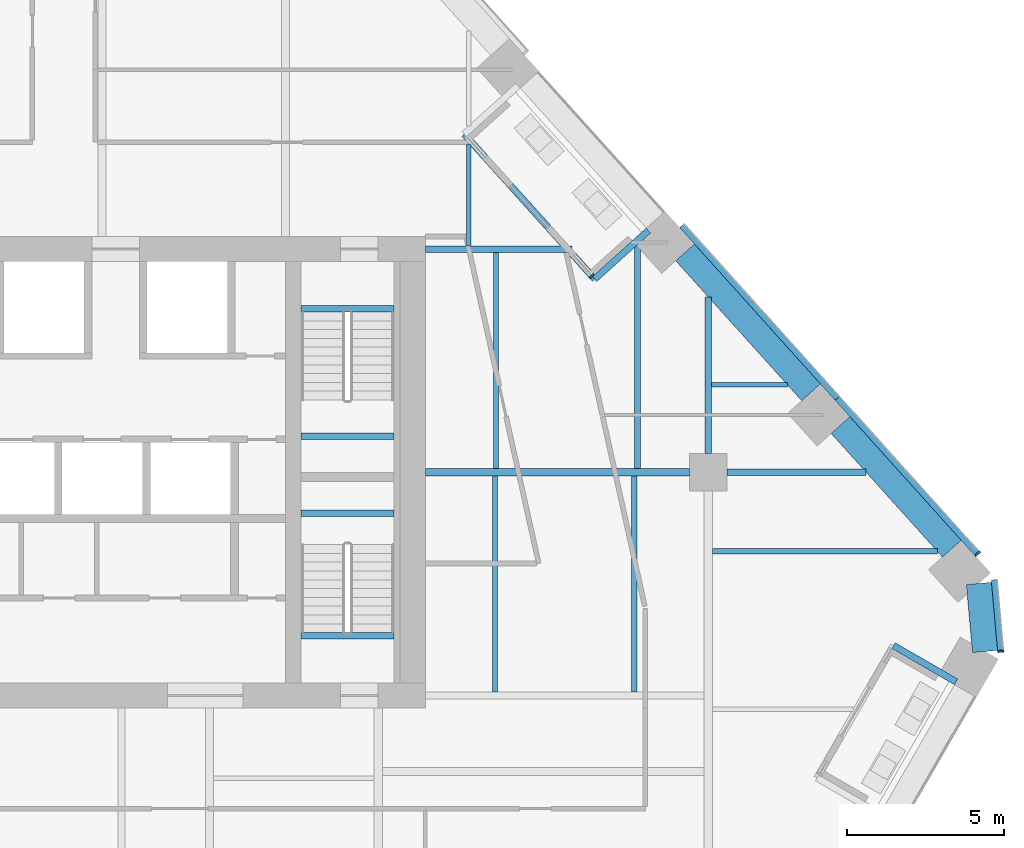
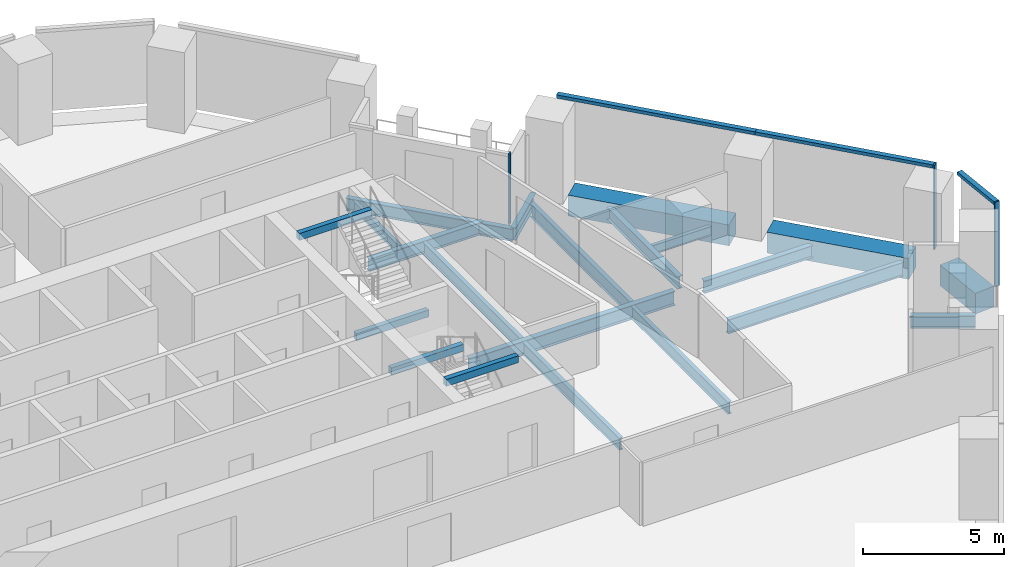
# One storey, part 10 of 26: 21 beams, 6 members, 3 elements without a shape of their own.
"""IFC4 building model written with IfcOpenShell, lengths in metres."""

from ifc_helpers import new_model, si_unit, direction, frame, origin, origin_2d, place, context, subcontext, project, spatial, rectangle, i_section, extrude, material, layer, layer_set, material_profile, profile_set, type_object, element, aggregate, save


model = new_model("IFC4")

# Units and contexts
model_context = context("Model", 3, precision=1e-05, world=origin(), true_north=direction((0.0, 1.0)))
body_context = subcontext(model_context, "Body", "Model", "MODEL_VIEW")
ifc_project = project(units=[si_unit("LENGTHUNIT", "METRE"), si_unit("AREAUNIT", "SQUARE_METRE"), si_unit("VOLUMEUNIT", "CUBIC_METRE"), si_unit("PLANEANGLEUNIT", "RADIAN"), si_unit("MASSUNIT", "GRAM", prefix="KILO")], contexts=[model_context])

# Site, building, storey
site_placement = place(None, origin())
site = spatial("IfcSite", under=ifc_project, at=site_placement, CompositionType="ELEMENT")
building_placement = place(site_placement, origin())
building = spatial("IfcBuilding", under=site, at=building_placement, Name="Isthmus Gate Tower", CompositionType="ELEMENT")
storey_placement = place(building_placement, frame((0.0, 0.0, 144.39990234375)))
storey = spatial("IfcBuildingStorey", under=building, at=storey_placement, Name="L35", CompositionType="ELEMENT", Elevation=144.39990234375)

# Curtain wall, member
ifc_material_1 = material(Name="Aluminium, pale champagne anodised", Category="aluminium")
ifc_layer_1 = layer(ifc_material_1, 0.199951171875)
ifc_layer_set_1 = layer_set([ifc_layer_1], Name="CW-1 UNITISED CURTAIN WALL 200 DEEP")
curtain_wall_type_1 = type_object("IfcCurtainWallType", Name="CW-1 UNITISED CURTAIN WALL 200 DEEP", PredefinedType="NOTDEFINED", material=ifc_layer_set_1)
curtain_wall_1_placement = place(storey_placement, origin())
curtain_wall_1 = element("IfcCurtainWall", 1, at=curtain_wall_1_placement, inside=storey, type_object=curtain_wall_type_1, Name="CW-1 SE-NE L35", PredefinedType="NOTDEFINED")
ifc_material_2 = material(Name="Aluminium, pale champagne anodised", Category="aluminium")
ifc_material_profile_1 = material_profile(ifc_material_2, rectangle(XDim=0.06005859375, YDim=0.199951171875, at=origin_2d()), Name="60x200")
ifc_profile_set_1 = profile_set([ifc_material_profile_1], Name="Aluminium, pale champagne anodised")
member_type_1 = type_object("IfcMemberType", Name="CW-1 MULLION 60 X 200", PredefinedType="MULLION", material=ifc_profile_set_1)
member_1_placement = place(storey_placement, frame((33.307861328125, 1.804443359375, 0.0), z_axis=(0.0, 0.0, 1.0), x_axis=(-0.089396669717, 0.995996102123, 0.0)))
member_1 = element("IfcMember", 2, at=member_1_placement, type_object=member_type_1, Name="CW-1 mullion", PredefinedType="MULLION", context=body_context, shape_type="SweptSolid", body=[
    extrude(rectangle(XDim=0.06005859375, YDim=0.199951171875, at=origin_2d()), origin(), (0.0, 0.0, 1.0), 3.650146484375),
])

curtain_wall_2_placement = place(storey_placement, origin())
curtain_wall_2 = element("IfcCurtainWall", 3, at=curtain_wall_2_placement, inside=storey, type_object=curtain_wall_type_1, Name="CW-1 NE L35", PredefinedType="NOTDEFINED")
member_2_placement = place(storey_placement, frame((32.5693359375, 4.908447265625, 0.0), z_axis=(0.0, 0.0, 1.0), x_axis=(-0.669130606359, 0.743144825477, 0.0)))
member_2 = element("IfcMember", 4, at=member_2_placement, type_object=member_type_1, Name="CW-1 mullion", PredefinedType="MULLION", context=body_context, shape_type="SweptSolid", body=[
    extrude(rectangle(XDim=0.06005859375, YDim=0.199951171875, at=origin_2d()), origin(), (0.0, 0.0, 1.0), 3.650146484375),
])

# Member
ifc_material_3 = material(Name="Aluminium, pale champagne anodised", Category="aluminium")
ifc_material_profile_2 = material_profile(ifc_material_3, rectangle(XDim=0.199951171875, YDim=0.139892578125, at=origin_2d()), Name="200x140")
ifc_profile_set_2 = profile_set([ifc_material_profile_2], Name="Aluminium, pale champagne anodised")
member_type_2 = type_object("IfcMemberType", Name="CW-1 TRANSOM 200 X 140", PredefinedType="USERDEFINED", material=ifc_profile_set_2)
member_3_placement = place(storey_placement, frame((33.30517578125, 1.83447265625, 3.580078125), z_axis=(-0.089395362867, 0.995996219419, 0.0), x_axis=(-0.995996219419, -0.089395362867, 0.0)))
member_3 = element("IfcMember", 5, at=member_3_placement, type_object=member_type_2, Name="CW-1 transom", ObjectType="TRANSOM", PredefinedType="USERDEFINED", context=body_context, shape_type="SweptSolid", body=[
    extrude(rectangle(XDim=0.199951171875, YDim=0.139892578125, at=origin_2d()), origin(), (0.0, 0.0, 1.0), 2.258544921875),
])

aggregate(curtain_wall_1, [member_1, member_3])

member_4_placement = place(storey_placement, frame((32.54931640625, 4.930908203125, 3.580078125), z_axis=(-0.669153891975, 0.743123858354, 0.0), x_axis=(-0.743123858354, -0.669153891975, 0.0)))
member_4 = element("IfcMember", 6, at=member_4_placement, type_object=member_type_2, Name="CW-1 transom", ObjectType="TRANSOM", PredefinedType="USERDEFINED", context=body_context, shape_type="SweptSolid", body=[
    extrude(rectangle(XDim=0.199951171875, YDim=0.139892578125, at=origin_2d()), origin(), (0.0, 0.0, 1.0), 6.630859375),
])

member_5_placement = place(storey_placement, frame((28.1123046875, 9.8583984375, 3.580078125), z_axis=(-0.669123495435, 0.74315122812, 0.0), x_axis=(-0.74315122812, -0.669123495435, 0.0)))
member_5 = element("IfcMember", 7, at=member_5_placement, type_object=member_type_2, Name="CW-1 transom", ObjectType="TRANSOM", PredefinedType="USERDEFINED", context=body_context, shape_type="SweptSolid", body=[
    extrude(rectangle(XDim=0.199951171875, YDim=0.139892578125, at=origin_2d()), origin(), (0.0, 0.0, 1.0), 7.390625),
])

aggregate(curtain_wall_2, [member_2, member_4, member_5])

# Curtain wall, member
ifc_material_4 = material(Name="Aluminium, pale champagne anodised", Category="aluminium")
ifc_layer_2 = layer(ifc_material_4, 0.14990234375)
ifc_layer_set_2 = layer_set([ifc_layer_2], Name="CW-6 LOGGIA BACK WALL GLAZING 150 DEEP")
curtain_wall_type_2 = type_object("IfcCurtainWallType", Name="CW-6 LOGGIA BACK WALL GLAZING 150 DEEP", PredefinedType="NOTDEFINED", material=ifc_layer_set_2)
curtain_wall_3_placement = place(storey_placement, origin())
curtain_wall_3 = element("IfcCurtainWall", 8, at=curtain_wall_3_placement, inside=storey, type_object=curtain_wall_type_2, Name="CW-6 NE L35", PredefinedType="NOTDEFINED")
ifc_material_5 = material(Name="Aluminium, pale champagne anodised", Category="aluminium")
ifc_material_profile_3 = material_profile(ifc_material_5, rectangle(XDim=0.06005859375, YDim=0.14990234375, at=origin_2d()), Name="60x150")
ifc_profile_set_3 = profile_set([ifc_material_profile_3], Name="Aluminium, pale champagne anodised")
member_type_3 = type_object("IfcMemberType", Name="CW-6 MULLION 60 X 150", PredefinedType="MULLION", material=ifc_profile_set_3)
member_6_placement = place(storey_placement, frame((20.30029296875, 13.752197265625, 0.0), z_axis=(0.0, 0.0, 1.0), x_axis=(-0.669130606359, 0.743144825477, 0.0)))
member_6 = element("IfcMember", 9, at=member_6_placement, type_object=member_type_3, Name="CW-6 mullion", PredefinedType="MULLION", context=body_context, shape_type="SweptSolid", body=[
    extrude(rectangle(XDim=0.06005859375, YDim=0.14990234375, at=origin_2d()), origin(), (0.0, 0.0, 1.0), 3.050048828125),
])
aggregate(curtain_wall_3, [member_6])

# Beams
ifc_material_6 = material(Name="Concrete f'c 60 MPa", Category="concrete")
ifc_material_profile_4 = material_profile(ifc_material_6, rectangle(XDim=0.800048828125, YDim=0.89990234375, at=origin_2d()), Name="RC 800X900")
ifc_profile_set_4 = profile_set([ifc_material_profile_4], Name="Concrete f'c 60 MPa")
beam_type_1 = type_object("IfcBeamType", Name="RC SPANDREL 800 X 900", PredefinedType="SPANDREL", material=ifc_profile_set_4)
beam_1_placement = place(storey_placement, frame((23.263671875, 14.49609375, -0.449951171875), z_axis=(0.669156088603, -0.74312188037, 0.0), x_axis=(0.74312188037, 0.669156088603, 0.0)))
element("IfcBeam", 10, at=beam_1_placement, inside=storey, type_object=beam_type_1, Name="str-spandrel-L35-03", PredefinedType="SPANDREL", context=body_context, shape_type="SweptSolid", body=[
    extrude(rectangle(XDim=0.800048828125, YDim=0.89990234375, at=origin_2d()), origin(), (0.0, 0.0, 1.0), 5.99072265625),
])
beam_2_placement = place(storey_placement, frame((28.209228515625, 9.003662109375, -0.449951171875), z_axis=(0.669130424574, -0.743144989157, 0.0), x_axis=(0.743144989157, 0.669130424574, 0.0)))
element("IfcBeam", 11, at=beam_2_placement, inside=storey, type_object=beam_type_1, Name="str-spandrel-L35-04", PredefinedType="SPANDREL", context=body_context, shape_type="SweptSolid", body=[
    extrude(rectangle(XDim=0.800048828125, YDim=0.89990234375, at=origin_2d()), origin(), (0.0, 0.0, 1.0), 5.290771484375),
])
beam_3_placement = place(storey_placement, frame((32.61181640625, 3.964599609375, -0.449951171875), z_axis=(0.089421511639, -0.995993872098, 0.0), x_axis=(0.995993872098, 0.089421511639, 0.0)))
element("IfcBeam", 12, at=beam_3_placement, inside=storey, type_object=beam_type_1, Name="str-spandrel-L35-05", PredefinedType="SPANDREL", context=body_context, shape_type="SweptSolid", body=[
    extrude(rectangle(XDim=0.800048828125, YDim=0.89990234375, at=origin_2d()), origin(), (0.0, 0.0, 1.0), 2.17333984375),
])
ifc_material_7 = material(Name="Concrete f'c 40 MPa", Category="concrete")
ifc_material_profile_5 = material_profile(ifc_material_7, rectangle(XDim=0.199951171875, YDim=0.300048828125, at=origin_2d()), Name="STAIR LANDING BEAM RC 200 X 300")
ifc_profile_set_5 = profile_set([ifc_material_profile_5], Name="Concrete f'c 40 MPa")
beam_type_2 = type_object("IfcBeamType", Name="STAIR LANDING BEAM RC 200 X 300", PredefinedType="BEAM", material=ifc_profile_set_5)
for number, where, z_axis, x_axis, name in (
    (13, (11.050048828125, 8.64990234375, 1.47509765625), (1.0, 0.0, 0.0), (0.0, 1.0, 0.0), "L35 ST2 landing beam 1"),
    (14, (11.050048828125, 12.7001953125, 3.35009765625), (1.0, 0.0, 0.0), (0.0, 1.0, 0.0), "L35 ST2 floor-edge seat beam"),
    (15, (11.050048828125, 6.199951171875, 1.47509765625), (1.0, 0.0, 0.0), (0.0, 1.0, 0.0), "L35 ST8 landing beam 1"),
    (16, (11.050048828125, 2.2998046875, 3.35009765625), (1.0, 0.0, 0.0), (0.0, 1.0, 0.0), "L35 ST8 floor-edge seat beam"),
):
    element("IfcBeam", number, at=place(storey_placement, frame(where, z_axis=z_axis, x_axis=x_axis)), inside=storey, type_object=beam_type_2, Name=name, PredefinedType="BEAM", context=body_context, shape_type="SweptSolid", body=[
        extrude(rectangle(XDim=0.199951171875, YDim=0.300048828125, at=origin_2d()), origin(), (0.0, 0.0, 1.0), 2.949951171875),
    ])
ifc_material_8 = material(Name="Structural steel ASTM A992 Gr 50", Category="steel")
ifc_material_profile_6 = material_profile(ifc_material_8, i_section(OverallWidth=0.1396484375, OverallDepth=0.4033203125, WebThickness=0.00634765625, FlangeThickness=0.010986328125, at=origin_2d()), Name="W16X31")
ifc_profile_set_6 = profile_set([ifc_material_profile_6], Name="Structural steel ASTM A992 Gr 50")
beam_type_3 = type_object("IfcBeamType", Name="STEEL FLOOR BEAM W16X31", PredefinedType="JOIST", material=ifc_profile_set_6)
beam_4_placement = place(storey_placement, frame((16.3798828125, 14.704833984375, -0.3515625), z_axis=(0.0, 1.0, 0.0), x_axis=(-1.0, 0.0, 0.0)))
element("IfcBeam", 17, at=beam_4_placement, inside=storey, type_object=beam_type_3, Name="str-beam-L35-08-06", PredefinedType="JOIST", context=body_context, shape_type="SweptSolid", body=[
    extrude(i_section(OverallWidth=0.1396484375, OverallDepth=0.4033203125, WebThickness=0.00634765625, FlangeThickness=0.010986328125, at=origin_2d()), origin(), (0.0, 0.0, 1.0), 3.23779296875),
])
beam_5_placement = place(storey_placement, frame((24.104736328125, 10.284423828125, -0.3515625), z_axis=(1.0, 0.0, 0.0), x_axis=(0.0, 1.0, 0.0)))
element("IfcBeam", 18, at=beam_5_placement, inside=storey, type_object=beam_type_3, Name="str-beam-L35-19-00", PredefinedType="JOIST", context=body_context, shape_type="SweptSolid", body=[
    extrude(i_section(OverallWidth=0.1396484375, OverallDepth=0.4033203125, WebThickness=0.00634765625, FlangeThickness=0.010986328125, at=origin_2d()), origin(), (0.0, 0.0, 1.0), 2.412841796875),
])
ifc_material_9 = material(Name="Structural steel ASTM A992 Gr 50", Category="steel")
ifc_material_profile_7 = material_profile(ifc_material_9, i_section(OverallWidth=0.1650390625, OverallDepth=0.52392578125, WebThickness=0.009521484375, FlangeThickness=0.010986328125, at=origin_2d()), Name="W21X44")
ifc_profile_set_7 = profile_set([ifc_material_profile_7], Name="Structural steel ASTM A992 Gr 50")
beam_type_4 = type_object("IfcBeamType", Name="STEEL FLOOR BEAM W21X44", PredefinedType="JOIST", material=ifc_profile_set_7)
beam_6_placement = place(storey_placement, frame((17.25, 7.6142578125, -0.411865234375), z_axis=(0.0, 1.0, 0.0), x_axis=(-1.0, 0.0, 0.0)))
element("IfcBeam", 19, at=beam_6_placement, inside=storey, type_object=beam_type_4, Name="str-beam-L35-16-00", PredefinedType="JOIST", context=body_context, shape_type="SweptSolid", body=[
    extrude(i_section(OverallWidth=0.1650390625, OverallDepth=0.52392578125, WebThickness=0.009521484375, FlangeThickness=0.010986328125, at=origin_2d()), origin(), (0.0, 0.0, 1.0), 6.881103515625),
])
for number, where, z_axis, x_axis, name in (
    (20, (17.216552734375, 0.514404296875, -0.411865234375), (0.0, 1.0, 0.0), (-1.0, 0.0, 0.0), "str-beam-L35-17-00"),
    (21, (21.64990234375, 0.514404296875, -0.411865234375), (0.0, 1.0, 0.0), (-1.0, 0.0, 0.0), "str-beam-L35-17-01"),
):
    element("IfcBeam", number, at=place(storey_placement, frame(where, z_axis=z_axis, x_axis=x_axis)), inside=storey, type_object=beam_type_4, Name=name, PredefinedType="JOIST", context=body_context, shape_type="SweptSolid", body=[
        extrude(i_section(OverallWidth=0.1650390625, OverallDepth=0.52392578125, WebThickness=0.009521484375, FlangeThickness=0.010986328125, at=origin_2d()), origin(), (0.0, 0.0, 1.0), 6.871337890625),
    ])
ifc_material_10 = material(Name="Structural steel ASTM A992 Gr 50", Category="steel")
ifc_material_profile_8 = material_profile(ifc_material_10, i_section(OverallWidth=0.177734375, OverallDepth=0.60009765625, WebThickness=0.009521484375, FlangeThickness=0.0126953125, at=origin_2d()), Name="W24X55")
ifc_profile_set_8 = profile_set([ifc_material_profile_8], Name="Structural steel ASTM A992 Gr 50")
beam_type_5 = type_object("IfcBeamType", Name="STEEL FLOOR BEAM W24X55", PredefinedType="JOIST", material=ifc_profile_set_8)
beam_7_placement = place(storey_placement, frame((21.75, 7.6142578125, -0.449951171875), z_axis=(0.0, 1.0, 0.0), x_axis=(-1.0, 0.0, 0.0)))
element("IfcBeam", 22, at=beam_7_placement, inside=storey, type_object=beam_type_5, Name="str-beam-L35-16-01", PredefinedType="JOIST", context=body_context, shape_type="SweptSolid", body=[
    extrude(i_section(OverallWidth=0.177734375, OverallDepth=0.60009765625, WebThickness=0.009521484375, FlangeThickness=0.0126953125, at=origin_2d()), origin(), (0.0, 0.0, 1.0), 7.068603515625),
])
beam_8_placement = place(storey_placement, frame((24.13330078125, 4.987548828125, -0.449951171875), z_axis=(1.0, 0.0, 0.0), x_axis=(0.0, 1.0, 0.0)))
element("IfcBeam", 23, at=beam_8_placement, inside=storey, type_object=beam_type_5, Name="str-beam-L35-20-02", PredefinedType="JOIST", context=body_context, shape_type="SweptSolid", body=[
    extrude(i_section(OverallWidth=0.177734375, OverallDepth=0.60009765625, WebThickness=0.009521484375, FlangeThickness=0.0126953125, at=origin_2d()), origin(), (0.0, 0.0, 1.0), 7.15380859375),
])
ifc_material_11 = material(Name="Structural steel ASTM A992 Gr 50", Category="steel")
ifc_material_profile_9 = material_profile(ifc_material_11, i_section(OverallWidth=0.20947265625, OverallDepth=0.533447265625, WebThickness=0.009521484375, FlangeThickness=0.015869140625, at=origin_2d()), Name="W21X62")
ifc_profile_set_9 = profile_set([ifc_material_profile_9], Name="Structural steel ASTM A992 Gr 50")
beam_type_6 = type_object("IfcBeamType", Name="STEEL GIRDER W21X62", PredefinedType="BEAM", material=ifc_profile_set_9)
beam_9_placement = place(storey_placement, frame((24.60009765625, 7.5, -0.41650390625), z_axis=(1.0, 0.0, 0.0), x_axis=(0.0, 1.0, 0.0)))
element("IfcBeam", 24, at=beam_9_placement, inside=storey, type_object=beam_type_6, Name="str-girder-L35-06", PredefinedType="BEAM", context=body_context, shape_type="SweptSolid", body=[
    extrude(i_section(OverallWidth=0.20947265625, OverallDepth=0.533447265625, WebThickness=0.009521484375, FlangeThickness=0.015869140625, at=origin_2d()), origin(), (0.0, 0.0, 1.0), 4.4248046875),
])
beam_10_placement = place(storey_placement, frame((24.0, 8.10009765625, -0.41650390625), z_axis=(0.0, 1.0, 0.0), x_axis=(-1.0, 0.0, 0.0)))
element("IfcBeam", 25, at=beam_10_placement, inside=storey, type_object=beam_type_6, Name="str-girder-L35-12", PredefinedType="BEAM", context=body_context, shape_type="SweptSolid", body=[
    extrude(i_section(OverallWidth=0.20947265625, OverallDepth=0.533447265625, WebThickness=0.009521484375, FlangeThickness=0.015869140625, at=origin_2d()), origin(), (0.0, 0.0, 1.0), 4.98046875),
])
beam_11_placement = place(storey_placement, frame((15.0, 14.60009765625, -0.41650390625), z_axis=(1.0, 0.0, 0.0), x_axis=(0.0, 1.0, 0.0)))
element("IfcBeam", 26, at=beam_11_placement, inside=storey, type_object=beam_type_6, Name="str-girder-L35-16", PredefinedType="BEAM", context=body_context, shape_type="SweptSolid", body=[
    extrude(i_section(OverallWidth=0.20947265625, OverallDepth=0.533447265625, WebThickness=0.009521484375, FlangeThickness=0.015869140625, at=origin_2d()), origin(), (0.0, 0.0, 1.0), 4.671630859375),
])
ifc_material_12 = material(Name="Structural steel ASTM A992 Gr 50", Category="steel")
ifc_material_profile_10 = material_profile(ifc_material_12, i_section(OverallWidth=0.228515625, OverallDepth=0.6064453125, WebThickness=0.010986328125, FlangeThickness=0.017578125, at=origin_2d()), Name="W24X76")
ifc_profile_set_10 = profile_set([ifc_material_profile_10], Name="Structural steel ASTM A992 Gr 50")
beam_type_7 = type_object("IfcBeamType", Name="STEEL GIRDER W24X76", PredefinedType="BEAM", material=ifc_profile_set_10)
beam_12_placement = place(storey_placement, frame((15.0, 7.5, -0.453125), z_axis=(1.0, 0.0, 0.0), x_axis=(0.0, 1.0, 0.0)))
element("IfcBeam", 27, at=beam_12_placement, inside=storey, type_object=beam_type_7, Name="str-girder-L35-05", PredefinedType="BEAM", context=body_context, shape_type="SweptSolid", body=[
    extrude(i_section(OverallWidth=0.228515625, OverallDepth=0.6064453125, WebThickness=0.010986328125, FlangeThickness=0.017578125, at=origin_2d()), origin(), (0.0, 0.0, 1.0), 8.39990234375),
])
ifc_material_13 = material(Name="Structural steel ASTM A992 Gr 50", Category="steel")
ifc_material_profile_11 = material_profile(ifc_material_13, i_section(OverallWidth=0.20947265625, OverallDepth=0.533447265625, WebThickness=0.009521484375, FlangeThickness=0.015869140625, at=origin_2d()), Name="W21X62")
ifc_profile_set_11 = profile_set([ifc_material_profile_11], Name="Structural steel ASTM A992 Gr 50")
beam_type_8 = type_object("IfcBeamType", Name="STEEL TRIMMER W21X62", PredefinedType="BEAM", material=ifc_profile_set_11)
beam_13_placement = place(storey_placement, frame((31.88916015625, 0.833740234375, -0.41650390625), z_axis=(-0.866017993231, 0.500012835235, 0.0), x_axis=(-0.500012835235, -0.866017993231, 0.0)))
element("IfcBeam", 28, at=beam_13_placement, inside=storey, type_object=beam_type_8, Name="str-loggiatrim-L35-04-C", PredefinedType="BEAM", context=body_context, shape_type="SweptSolid", body=[
    extrude(i_section(OverallWidth=0.20947265625, OverallDepth=0.533447265625, WebThickness=0.009521484375, FlangeThickness=0.015869140625, at=origin_2d()), origin(), (0.0, 0.0, 1.0), 2.3046875),
])
beam_14_placement = place(storey_placement, frame((20.386962890625, 13.64892578125, -0.41650390625), z_axis=(-0.669123527334, 0.743151199399, 0.0), x_axis=(-0.743151199399, -0.669123527334, 0.0)))
element("IfcBeam", 29, at=beam_14_placement, inside=storey, type_object=beam_type_8, Name="str-loggiatrim-L35-05-B", PredefinedType="BEAM", context=body_context, shape_type="SweptSolid", body=[
    extrude(i_section(OverallWidth=0.20947265625, OverallDepth=0.533447265625, WebThickness=0.009521484375, FlangeThickness=0.015869140625, at=origin_2d()), origin(), (0.0, 0.0, 1.0), 6.2001953125),
])
beam_15_placement = place(storey_placement, frame((22.099853515625, 15.19091796875, -0.41650390625), z_axis=(-0.743209863982, -0.669058366721, 0.0), x_axis=(0.669058366721, -0.743209863982, 0.0)))
element("IfcBeam", 30, at=beam_15_placement, inside=storey, type_object=beam_type_8, Name="str-loggiatrim-L35-05-A", PredefinedType="BEAM", context=body_context, shape_type="SweptSolid", body=[
    extrude(i_section(OverallWidth=0.20947265625, OverallDepth=0.533447265625, WebThickness=0.009521484375, FlangeThickness=0.015869140625, at=origin_2d()), origin(), (0.0, 0.0, 1.0), 2.3046875),
])

save(model, "model.ifc")
